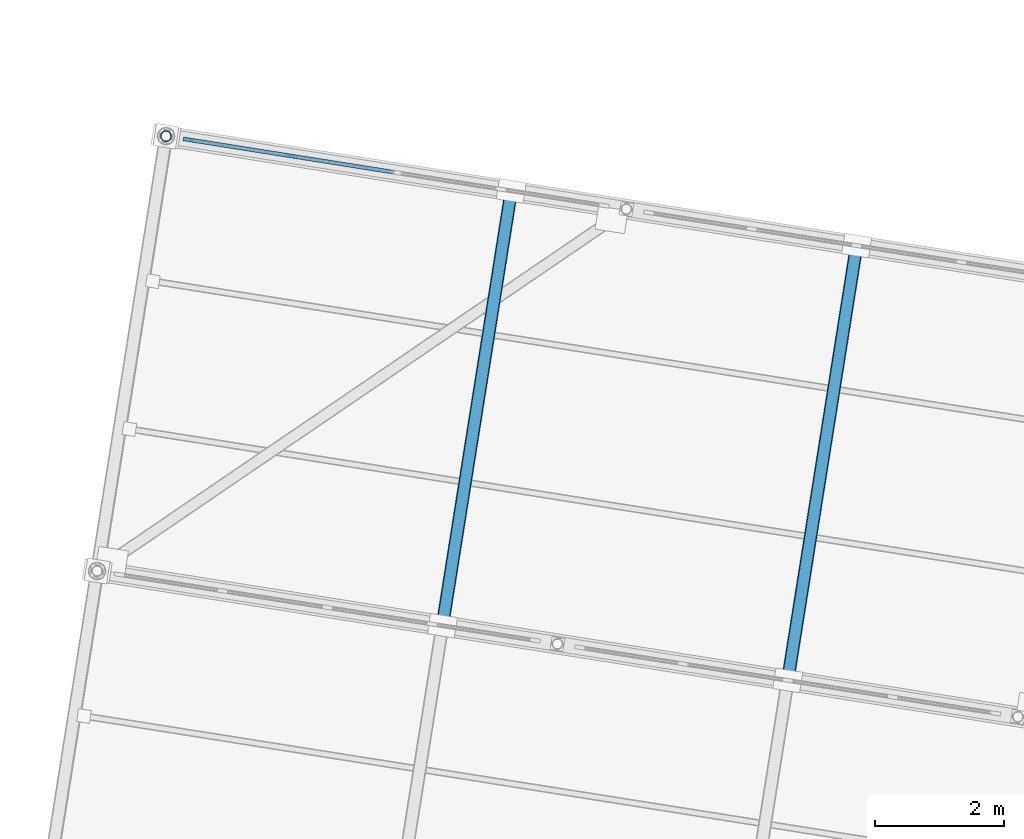
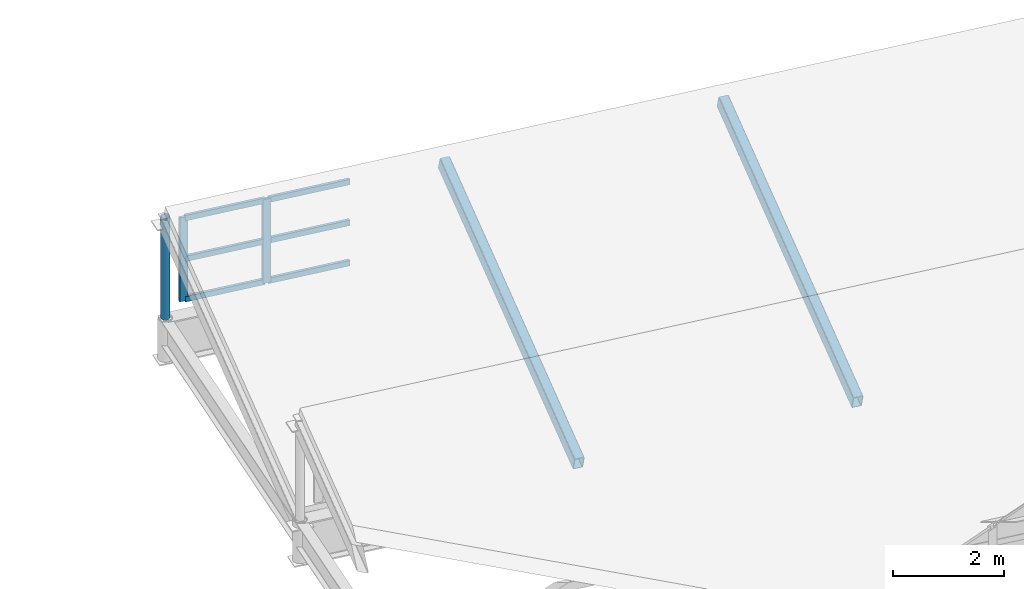
# One storey, part 46 of 65: 11 members, 1 element without a shape of its own.
"""IFC4 building model written with IfcOpenShell, lengths in metres."""

from ifc_helpers import new_model, si_unit, direction, frame, origin, origin_2d, place, context, subcontext, project, spatial, rectangle, hollow_rectangle, hollow_circle, extrude, material, material_profile, profile_set, type_object, element, aggregate, save


model = new_model("IFC4")

# Units and contexts
model_context = context("Model", 3, precision=1e-05, world=origin(), true_north=direction((0.0, 1.0)))
body_context = subcontext(model_context, "Body", "Model", "MODEL_VIEW")
ifc_project = project(units=[si_unit("LENGTHUNIT", "METRE"), si_unit("AREAUNIT", "SQUARE_METRE"), si_unit("VOLUMEUNIT", "CUBIC_METRE"), si_unit("PLANEANGLEUNIT", "RADIAN"), si_unit("MASSUNIT", "GRAM", prefix="KILO")], contexts=[model_context])

# Site, building, storey
site_placement = place(None, origin())
site = spatial("IfcSite", under=ifc_project, at=site_placement, CompositionType="ELEMENT")
building_placement = place(site_placement, origin())
building = spatial("IfcBuilding", under=site, at=building_placement, Name="Cinderway Yard Community Centre", CompositionType="ELEMENT")
storey_placement = place(building_placement, frame((0.0, 0.0, 24.300048828125)))
storey = spatial("IfcBuildingStorey", under=building, at=storey_placement, Name="RF", CompositionType="ELEMENT", Elevation=24.300048828125)

# Curtain wall, members
ifc_material_1 = material(Name="Aluminium 6063-T6", Category="aluminium")
curtain_wall_type = type_object("IfcCurtainWallType", Name="ENV-CW-TYPE-23", PredefinedType="USERDEFINED", material=ifc_material_1)
curtain_wall_placement = place(storey_placement, origin())
curtain_wall = element("IfcCurtainWall", 1, at=curtain_wall_placement, inside=storey, type_object=curtain_wall_type, Name="Sawtooth North-Light Clerestory ENV-CW-RF-ST-0087", ObjectType="GLAZED CURTAIN WALL", PredefinedType="USERDEFINED")
ifc_material_profile_1 = material_profile(ifc_material_1, rectangle(XDim=0.06005859375, YDim=0.159912109375, at=origin_2d()), Name="Aluminium 6063-T6")
ifc_profile_set_1 = profile_set([ifc_material_profile_1], Name="Aluminium 6063-T6")
member_type_1 = type_object("IfcMemberType", Name="ENV-CW-MULL-150", PredefinedType="MULLION", material=ifc_profile_set_1)
member_1_placement = place(storey_placement, frame((124.728515625, 78.243408203125, -10.199951171875), z_axis=(0.0, 0.0, 1.0), x_axis=(0.156557479266, 0.987668849203, 0.0)))
member_1 = element("IfcMember", 2, at=member_1_placement, type_object=member_type_1, Name="CW-23 mullion 1", PredefinedType="MULLION", context=body_context, shape_type="SweptSolid", body=[
    extrude(rectangle(XDim=0.06005859375, YDim=0.159912109375, at=origin_2d()), origin(), (0.0, 0.0, 1.0), 1.849853515625),
])
member_2_placement = place(storey_placement, frame((126.31884765625, 77.9912109375, -10.199951171875), z_axis=(0.0, 0.0, 1.0), x_axis=(0.156557479266, 0.987668849203, 0.0)))
member_2 = element("IfcMember", 3, at=member_2_placement, type_object=member_type_1, Name="CW-23 mullion 2", PredefinedType="MULLION", context=body_context, shape_type="SweptSolid", body=[
    extrude(rectangle(XDim=0.06005859375, YDim=0.159912109375, at=origin_2d()), origin(), (0.0, 0.0, 1.0), 1.849853515625),
])
ifc_material_profile_2 = material_profile(ifc_material_1, rectangle(XDim=0.06005859375, YDim=0.1201171875, at=origin_2d()), Name="Aluminium 6063-T6")
ifc_profile_set_2 = profile_set([ifc_material_profile_2], Name="Aluminium 6063-T6")
member_type_2 = type_object("IfcMemberType", Name="ENV-CW-TRAN-110", PredefinedType="USERDEFINED", material=ifc_profile_set_2)
member_3_placement = place(storey_placement, frame((124.75830078125, 78.238525390625, -10.170166015625), z_axis=(0.987665706138, -0.156577306523, 0.0), x_axis=(0.156577306523, 0.987665706138, 0.0)))
member_3 = element("IfcMember", 4, at=member_3_placement, type_object=member_type_2, Name="CW-23 transom 1.1", ObjectType="TRANSOM", PredefinedType="USERDEFINED", context=body_context, shape_type="SweptSolid", body=[
    extrude(rectangle(XDim=0.06005859375, YDim=0.1201171875, at=origin_2d()), origin(), (0.0, 0.0, 1.0), 1.5498046875),
])
member_4_placement = place(storey_placement, frame((124.75830078125, 78.238525390625, -9.280029296875), z_axis=(0.987665706138, -0.156577306523, 0.0), x_axis=(0.156577306523, 0.987665706138, 0.0)))
member_4 = element("IfcMember", 5, at=member_4_placement, type_object=member_type_2, Name="CW-23 transom 1.2", ObjectType="TRANSOM", PredefinedType="USERDEFINED", context=body_context, shape_type="SweptSolid", body=[
    extrude(rectangle(XDim=0.06005859375, YDim=0.1201171875, at=origin_2d()), origin(), (0.0, 0.0, 1.0), 1.5498046875),
])
member_5_placement = place(storey_placement, frame((124.75830078125, 78.238525390625, -8.380126953125), z_axis=(0.987665706138, -0.156577306523, 0.0), x_axis=(0.156577306523, 0.987665706138, 0.0)))
member_5 = element("IfcMember", 6, at=member_5_placement, type_object=member_type_2, Name="CW-23 transom 1.3", ObjectType="TRANSOM", PredefinedType="USERDEFINED", context=body_context, shape_type="SweptSolid", body=[
    extrude(rectangle(XDim=0.06005859375, YDim=0.1201171875, at=origin_2d()), origin(), (0.0, 0.0, 1.0), 1.5498046875),
])
member_6_placement = place(storey_placement, frame((126.348388671875, 77.986572265625, -10.170166015625), z_axis=(0.98767385289, -0.156525909414, 0.0), x_axis=(0.156525909414, 0.98767385289, 0.0)))
member_6 = element("IfcMember", 7, at=member_6_placement, type_object=member_type_2, Name="CW-23 transom 2.1", ObjectType="TRANSOM", PredefinedType="USERDEFINED", context=body_context, shape_type="SweptSolid", body=[
    extrude(rectangle(XDim=0.06005859375, YDim=0.1201171875, at=origin_2d()), origin(), (0.0, 0.0, 1.0), 1.580078125),
])
member_7_placement = place(storey_placement, frame((126.348388671875, 77.986572265625, -9.280029296875), z_axis=(0.98767385289, -0.156525909414, 0.0), x_axis=(0.156525909414, 0.98767385289, 0.0)))
member_7 = element("IfcMember", 8, at=member_7_placement, type_object=member_type_2, Name="CW-23 transom 2.2", ObjectType="TRANSOM", PredefinedType="USERDEFINED", context=body_context, shape_type="SweptSolid", body=[
    extrude(rectangle(XDim=0.06005859375, YDim=0.1201171875, at=origin_2d()), origin(), (0.0, 0.0, 1.0), 1.580078125),
])
member_8_placement = place(storey_placement, frame((126.348388671875, 77.986572265625, -8.380126953125), z_axis=(0.98767385289, -0.156525909414, 0.0), x_axis=(0.156525909414, 0.98767385289, 0.0)))
member_8 = element("IfcMember", 9, at=member_8_placement, type_object=member_type_2, Name="CW-23 transom 2.3", ObjectType="TRANSOM", PredefinedType="USERDEFINED", context=body_context, shape_type="SweptSolid", body=[
    extrude(rectangle(XDim=0.06005859375, YDim=0.1201171875, at=origin_2d()), origin(), (0.0, 0.0, 1.0), 1.580078125),
])
aggregate(curtain_wall, [member_1, member_2, member_3, member_4, member_5, member_6, member_7, member_8])

# Members
ifc_material_2 = material(Name="Steel S355", Category="steel")
ifc_material_profile_3 = material_profile(ifc_material_2, hollow_rectangle(XDim=0.199951171875, YDim=0.300048828125, WallThickness=0.012451171875, InnerFilletRadius=0.012451171875, OuterFilletRadius=0.02490234375, at=origin_2d()), Name="Steel S355")
ifc_profile_set_3 = profile_set([ifc_material_profile_3], Name="Steel S355")
member_type_3 = type_object("IfcMemberType", Name="STR-MEM-RAFTER-300", PredefinedType="RAFTER", material=ifc_profile_set_3)
for number, where, z_axis, x_axis, name in (
    (10, (128.652099609375, 70.737060546875, -10.6201171875), (0.148876837345, 0.939720982492, 0.30783138626), (-0.987681899939, 0.156475124325, 0.0), "Sawtooth raked rafter B6-054"),
    (11, (133.986083984375, 69.89208984375, -10.6201171875), (0.148876837345, 0.939720982492, 0.30783138626), (-0.987681899939, 0.156475124325, 0.0), "Sawtooth raked rafter B6-108"),
):
    element("IfcMember", number, at=place(storey_placement, frame(where, z_axis=z_axis, x_axis=x_axis)), inside=storey, type_object=member_type_3, Name=name, PredefinedType="RAFTER", context=body_context, shape_type="SweptSolid", body=[
        extrude(hollow_rectangle(XDim=0.199951171875, YDim=0.300048828125, WallThickness=0.012451171875, InnerFilletRadius=0.012451171875, OuterFilletRadius=0.02490234375, at=origin_2d()), origin(), (0.0, 0.0, 1.0), 7.146728515625),
    ])
ifc_material_profile_4 = material_profile(ifc_material_2, hollow_circle(Radius=0.084228515625, WallThickness=0.008056640625, at=origin_2d()), Name="Steel S355")
ifc_profile_set_4 = profile_set([ifc_material_profile_4], Name="Steel S355")
member_type_4 = type_object("IfcMemberType", Name="STR-MEM-STRUT-CHS168", PredefinedType="STRUT", material=ifc_profile_set_4)
member_9_placement = place(storey_placement, frame((124.383056640625, 78.298095703125, -10.5), z_axis=(0.0, 0.0, 1.0), x_axis=(1.0, 0.0, 0.0)))
element("IfcMember", 12, at=member_9_placement, inside=storey, type_object=member_type_4, Name="Sawtooth kingpost B6-000", PredefinedType="STRUT", context=body_context, shape_type="SweptSolid", body=[
    extrude(hollow_circle(Radius=0.084228515625, WallThickness=0.008056640625, at=origin_2d()), origin(), (0.0, 0.0, 1.0), 2.25),
])

save(model, "model.ifc")
